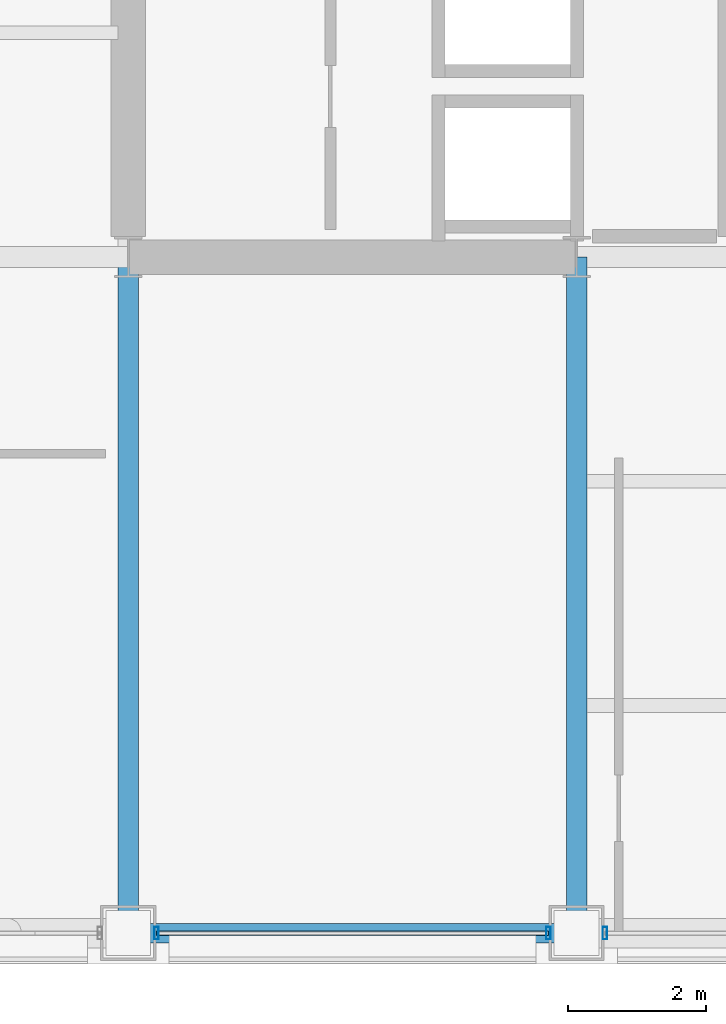
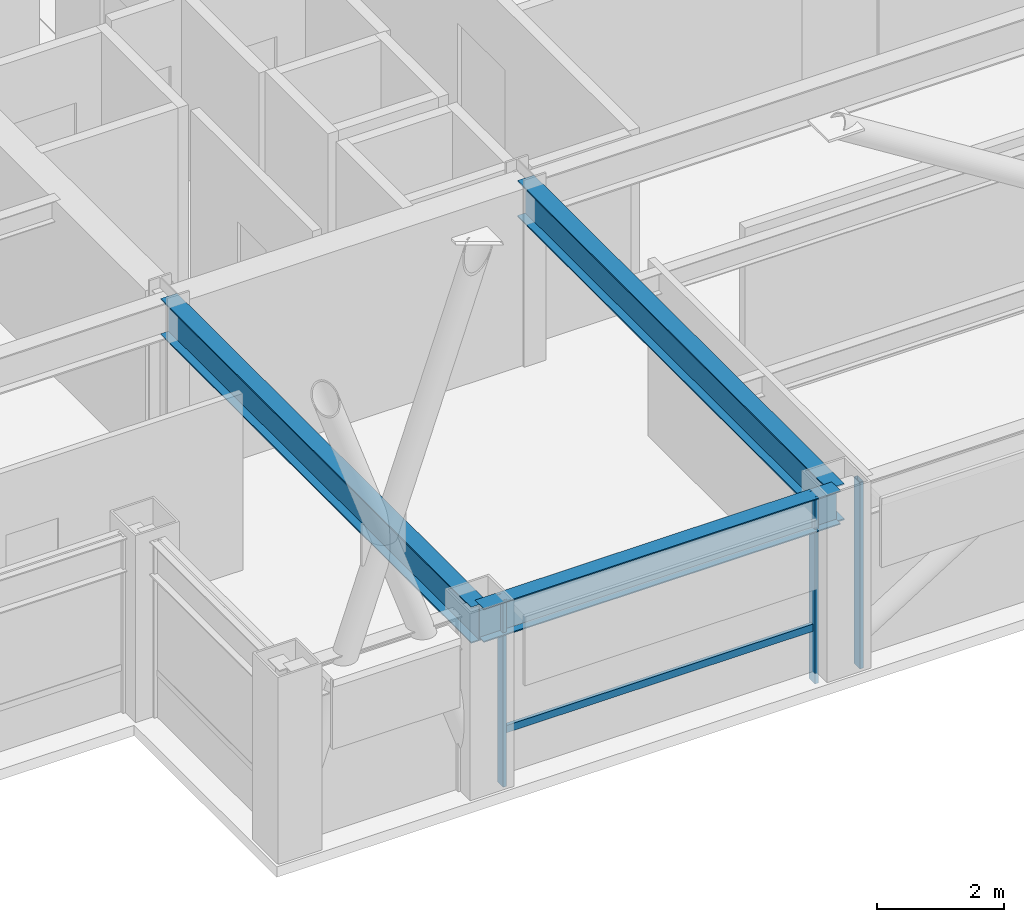
# One storey, part 4 of 35: 4 members, 3 beams, 2 elements without a shape of their own.
"""IFC4 building model written with IfcOpenShell, lengths in metres."""

from ifc_helpers import new_model, si_unit, direction, frame, origin, origin_2d, place, context, subcontext, project, spatial, hollow_rectangle, i_section, extrude, material, layer, layer_set, material_profile, profile_set, type_object, element, aggregate, save


model = new_model("IFC4")

# Units and contexts
model_context = context("Model", 3, precision=1e-05, world=origin(), true_north=direction((0.0, 1.0)))
body_context = subcontext(model_context, "Body", "Model", "MODEL_VIEW")
ifc_project = project(units=[si_unit("LENGTHUNIT", "METRE"), si_unit("AREAUNIT", "SQUARE_METRE"), si_unit("VOLUMEUNIT", "CUBIC_METRE"), si_unit("PLANEANGLEUNIT", "RADIAN"), si_unit("MASSUNIT", "GRAM", prefix="KILO")], contexts=[model_context])

# Site, building, storey
site_placement = place(None, origin())
site = spatial("IfcSite", under=ifc_project, at=site_placement, CompositionType="ELEMENT")
building_placement = place(site_placement, origin())
building = spatial("IfcBuilding", under=site, at=building_placement, Name="Brelmoor Portico Tower", CompositionType="ELEMENT")
storey_placement = place(building_placement, frame((0.0, 0.0, 131.39990234375)))
storey = spatial("IfcBuildingStorey", under=building, at=storey_placement, Name="L34", CompositionType="ELEMENT", Elevation=131.39990234375)

# Beams
ifc_material_1 = material(Name="Steel Q355B", Category="steel")
ifc_material_profile_1 = material_profile(ifc_material_1, i_section(OverallWidth=0.300048828125, OverallDepth=0.699951171875, WebThickness=0.012939453125, FlangeThickness=0.02392578125, at=origin_2d()), Name="HN 700x300x13x24")
ifc_profile_set_1 = profile_set([ifc_material_profile_1], Name="Steel Q355B")
beam_type_1 = type_object("IfcBeamType", Name="BM-PG-700", PredefinedType="BEAM", material=ifc_profile_set_1)
for number, where, z_axis, x_axis, name in (
    (1, (-14.550048828125, -19.550048828125, 3.050048828125), (0.0, 1.0, 0.0), (-1.0, 0.0, 0.0), "L34 Primary Floor Girder PG-01"),
    (2, (-8.050048828125, -19.550048828125, 3.050048828125), (0.0, 1.0, 0.0), (-1.0, 0.0, 0.0), "L34 Primary Floor Girder PG-05"),
):
    element("IfcBeam", number, at=place(storey_placement, frame(where, z_axis=z_axis, x_axis=x_axis)), inside=storey, type_object=beam_type_1, Name=name, PredefinedType="BEAM", context=body_context, shape_type="SweptSolid", body=[
        extrude(i_section(OverallWidth=0.300048828125, OverallDepth=0.699951171875, WebThickness=0.012939453125, FlangeThickness=0.02392578125, at=origin_2d()), origin(), (0.0, 0.0, 1.0), 9.800048828125),
    ])
ifc_material_profile_2 = material_profile(ifc_material_1, i_section(OverallWidth=0.280029296875, OverallDepth=0.64990234375, WebThickness=0.012939453125, FlangeThickness=0.02197265625, at=origin_2d()), Name="HN 650x280x13x22")
ifc_profile_set_2 = profile_set([ifc_material_profile_2], Name="Steel Q355B")
beam_type_2 = type_object("IfcBeamType", Name="BM-SP-650", PredefinedType="SPANDREL", material=ifc_profile_set_2)
beam_placement = place(storey_placement, frame((-14.550048828125, -19.550048828125, 3.0751953125), z_axis=(1.0, 0.0, 0.0), x_axis=(0.0, 1.0, 0.0)))
element("IfcBeam", 3, at=beam_placement, inside=storey, type_object=beam_type_2, Name="L34 Perimeter Spandrel Beam SP-02", PredefinedType="SPANDREL", context=body_context, shape_type="SweptSolid", body=[
    extrude(i_section(OverallWidth=0.280029296875, OverallDepth=0.64990234375, WebThickness=0.012939453125, FlangeThickness=0.02197265625, at=origin_2d()), origin(), (0.0, 0.0, 1.0), 6.5),
])

# Curtain wall, members
ifc_material_2 = material(Name="Anodised Aluminium Alloy 6063-T6", Category="aluminium")
ifc_layer_1 = layer(ifc_material_2, 0.179931640625)
ifc_layer_set_1 = layer_set([ifc_layer_1], Name="Anodised Aluminium Alloy 6063-T6")
curtain_wall_type_1 = type_object("IfcCurtainWallType", Name="CW-TOWER-Z2", PredefinedType="NOTDEFINED", material=ifc_layer_set_1)
curtain_wall_1_placement = place(storey_placement, origin())
curtain_wall_1 = element("IfcCurtainWall", 4, at=curtain_wall_1_placement, inside=storey, type_object=curtain_wall_type_1, Name="L34 Curtain Wall CW-L34-01-2", PredefinedType="NOTDEFINED")
ifc_material_profile_3 = material_profile(ifc_material_2, hollow_rectangle(XDim=0.06494140625, YDim=0.179931640625, WallThickness=0.00390625, at=origin_2d()), Name="ALU MULLION 65x180")
ifc_profile_set_3 = profile_set([ifc_material_profile_3], Name="Anodised Aluminium Alloy 6063-T6")
member_type_1 = type_object("IfcMemberType", Name="MB-CW-MULL-180", PredefinedType="MULLION", material=ifc_profile_set_3)
member_1_placement = place(storey_placement, frame((-14.139892578125, -19.550048828125, -0.199951171875), z_axis=(0.0, 0.0, 1.0), x_axis=(1.0, 0.0, 0.0)))
member_1 = element("IfcMember", 5, at=member_1_placement, type_object=member_type_1, Name="CW-L34-01-2 Mullion 00", PredefinedType="MULLION", context=body_context, shape_type="SweptSolid", body=[
    extrude(hollow_rectangle(XDim=0.06494140625, YDim=0.179931640625, WallThickness=0.00390625, at=origin_2d()), origin(), (0.0, 0.0, 1.0), 3.60009765625),
])
member_2_placement = place(storey_placement, frame((-8.4599609375, -19.550048828125, -0.199951171875), z_axis=(0.0, 0.0, 1.0), x_axis=(1.0, 0.0, 0.0)))
member_2 = element("IfcMember", 6, at=member_2_placement, type_object=member_type_1, Name="CW-L34-01-2 Mullion 01", PredefinedType="MULLION", context=body_context, shape_type="SweptSolid", body=[
    extrude(hollow_rectangle(XDim=0.06494140625, YDim=0.179931640625, WallThickness=0.00390625, at=origin_2d()), origin(), (0.0, 0.0, 1.0), 3.60009765625),
])

# Curtain wall, member
ifc_layer_2 = layer(ifc_material_2, 0.179931640625)
ifc_layer_set_2 = layer_set([ifc_layer_2], Name="Anodised Aluminium Alloy 6063-T6")
curtain_wall_type_2 = type_object("IfcCurtainWallType", Name="CW-TOWER-Z2-XB", PredefinedType="NOTDEFINED", material=ifc_layer_set_2)
curtain_wall_2_placement = place(storey_placement, origin())
curtain_wall_2 = element("IfcCurtainWall", 7, at=curtain_wall_2_placement, inside=storey, type_object=curtain_wall_type_2, Name="L34 Curtain Wall CW-L34-01-3", PredefinedType="NOTDEFINED")
member_3_placement = place(storey_placement, frame((-7.639892578125, -19.550048828125, -0.199951171875), z_axis=(0.0, 0.0, 1.0), x_axis=(1.0, 0.0, 0.0)))
member_3 = element("IfcMember", 8, at=member_3_placement, type_object=member_type_1, Name="CW-L34-01-3 Mullion 00", PredefinedType="MULLION", context=body_context, shape_type="SweptSolid", body=[
    extrude(hollow_rectangle(XDim=0.06494140625, YDim=0.179931640625, WallThickness=0.00390625, at=origin_2d()), origin(), (0.0, 0.0, 1.0), 3.60009765625),
])
aggregate(curtain_wall_2, [member_3])

# Member
ifc_material_profile_4 = material_profile(ifc_material_2, hollow_rectangle(XDim=0.06494140625, YDim=0.139892578125, WallThickness=0.00390625, at=origin_2d()), Name="ALU TRANSOM 65x140")
ifc_profile_set_4 = profile_set([ifc_material_profile_4], Name="Anodised Aluminium Alloy 6063-T6")
member_type_2 = type_object("IfcMemberType", Name="MB-CW-TRAN-140", PredefinedType="USERDEFINED", material=ifc_profile_set_4)
member_4_placement = place(storey_placement, frame((-14.139892578125, -19.550048828125, 0.85009765625), z_axis=(1.0, 0.0, 0.0), x_axis=(0.0, 1.0, 0.0)))
member_4 = element("IfcMember", 9, at=member_4_placement, type_object=member_type_2, Name="CW-L34-01-2 Transom 1-00", ObjectType="TRANSOM", PredefinedType="USERDEFINED", context=body_context, shape_type="SweptSolid", body=[
    extrude(hollow_rectangle(XDim=0.06494140625, YDim=0.139892578125, WallThickness=0.00390625, at=origin_2d()), origin(), (0.0, 0.0, 1.0), 5.679931640625),
])

aggregate(curtain_wall_1, [member_1, member_2, member_4])

save(model, "model.ifc")
